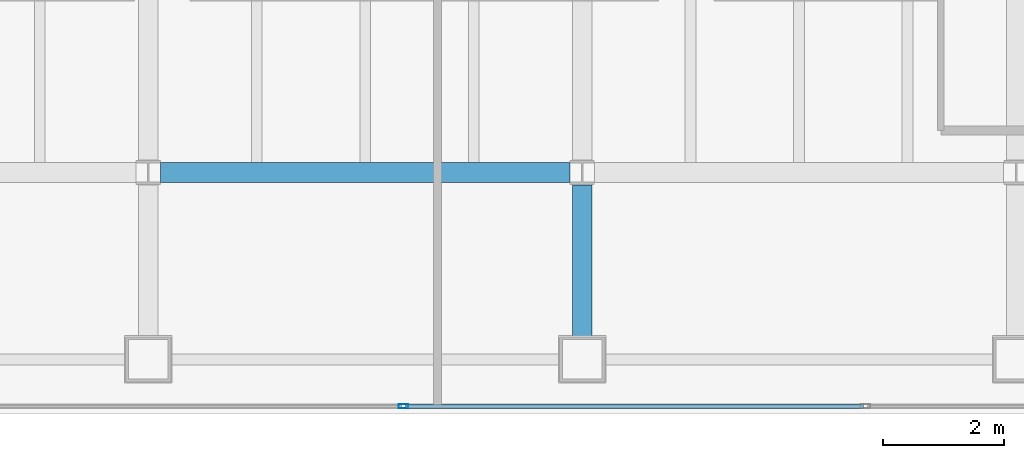
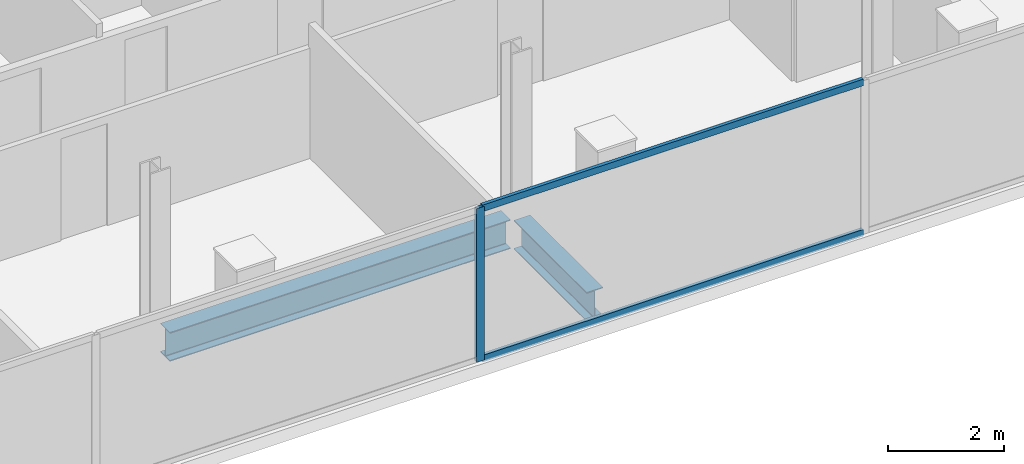
# One storey, part 6 of 23: 3 members, 2 beams, 1 element without a shape of its own.
"""IFC4 building model written with IfcOpenShell, lengths in metres."""

from ifc_helpers import new_model, si_unit, direction, frame, origin, origin_2d, place, context, subcontext, project, spatial, hollow_rectangle, i_section, extrude, material, material_profile, profile_set, type_object, element, aggregate, save


model = new_model("IFC4")

# Units and contexts
model_context = context("Model", 3, precision=1e-05, world=origin(), true_north=direction((0.0, 1.0)))
body_context = subcontext(model_context, "Body", "Model", "MODEL_VIEW")
ifc_project = project(units=[si_unit("LENGTHUNIT", "METRE"), si_unit("AREAUNIT", "SQUARE_METRE"), si_unit("VOLUMEUNIT", "CUBIC_METRE"), si_unit("PLANEANGLEUNIT", "RADIAN"), si_unit("MASSUNIT", "GRAM", prefix="KILO")], contexts=[model_context])

# Site, building, storey
site_placement = place(None, origin())
site = spatial("IfcSite", under=ifc_project, at=site_placement, CompositionType="ELEMENT")
building_placement = place(site_placement, origin())
building = spatial("IfcBuilding", under=site, at=building_placement, Name="Cobrela Telecom Tower", CompositionType="ELEMENT")
storey_placement = place(building_placement, frame((0.0, 0.0, 229.25)))
storey = spatial("IfcBuildingStorey", under=building, at=storey_placement, Name="L59", CompositionType="ELEMENT", Elevation=229.25)

# Beams
ifc_material_1 = material(Name="Steel ASTM A992 Grade 50", Category="steel")
ifc_material_profile_1 = material_profile(ifc_material_1, i_section(OverallWidth=0.324951171875, OverallDepth=0.612060546875, WebThickness=0.0126953125, FlangeThickness=0.01904296875, FilletRadius=0.014892578125, at=origin_2d()), Name="W24X104")
ifc_profile_set_1 = profile_set([ifc_material_profile_1], Name="Steel ASTM A992 Grade 50")
beam_type = type_object("IfcBeamType", Name="BM-GIRD-07", PredefinedType="USERDEFINED", material=ifc_profile_set_1)
beam_1_placement = place(storey_placement, frame((21.804443359375, 7.199951171875, -0.56591796875), z_axis=(1.0, 0.0, 0.0), x_axis=(0.0, 1.0, 0.0)))
element("IfcBeam", 1, at=beam_1_placement, inside=storey, type_object=beam_type, Name="L59 Primary Girder X08", ObjectType="GIRDER", PredefinedType="USERDEFINED", context=body_context, shape_type="SweptSolid", body=[
    extrude(i_section(OverallWidth=0.324951171875, OverallDepth=0.612060546875, WebThickness=0.0126953125, FlangeThickness=0.01904296875, FilletRadius=0.014892578125, at=origin_2d()), origin(), (0.0, 0.0, 1.0), 6.791015625),
])
beam_2_placement = place(storey_placement, frame((28.800048828125, 4.47998046875, -0.56591796875), z_axis=(0.0, 1.0, 0.0), x_axis=(-1.0, 0.0, 0.0)))
element("IfcBeam", 2, at=beam_2_placement, inside=storey, type_object=beam_type, Name="L59 Primary Girder Y36", ObjectType="GIRDER", PredefinedType="USERDEFINED", context=body_context, shape_type="SweptSolid", body=[
    extrude(i_section(OverallWidth=0.324951171875, OverallDepth=0.612060546875, WebThickness=0.0126953125, FlangeThickness=0.01904296875, FilletRadius=0.014892578125, at=origin_2d()), origin(), (0.0, 0.0, 1.0), 2.515625),
])

# Curtain wall, members
ifc_material_2 = material(Name="Anodized Bronze Aluminium 6063-T6", Category="aluminium")
curtain_wall_type = type_object("IfcCurtainWallType", Name="CW-SYS-OFF-LO", PredefinedType="USERDEFINED", material=ifc_material_2)
curtain_wall_placement = place(storey_placement, origin())
curtain_wall = element("IfcCurtainWall", 3, at=curtain_wall_placement, inside=storey, type_object=curtain_wall_type, Name="L59 Unitised Bronze Curtain Wall 17", ObjectType="UNITISED CURTAIN WALL", PredefinedType="USERDEFINED")
ifc_material_profile_2 = material_profile(ifc_material_2, hollow_rectangle(XDim=0.070068359375, YDim=0.159912109375, WallThickness=0.00390625, at=origin_2d()), Name="ALU 70x160x4")
ifc_profile_set_2 = profile_set([ifc_material_profile_2], Name="Anodized Bronze Aluminium 6063-T6")
member_type_1 = type_object("IfcMemberType", Name="CW-SYS-OFF-LO-MUL", PredefinedType="MULLION", material=ifc_profile_set_2)
member_1_placement = place(storey_placement, frame((25.833984375, 3.320068359375, 0.0), z_axis=(0.0, 0.0, 1.0), x_axis=(0.0, -1.0, 0.0)))
member_1 = element("IfcMember", 4, at=member_1_placement, type_object=member_type_1, Name="CW-OFF-LO mullion 3", PredefinedType="MULLION", context=body_context, shape_type="SweptSolid", body=[
    extrude(hollow_rectangle(XDim=0.070068359375, YDim=0.159912109375, WallThickness=0.00390625, at=origin_2d()), origin(), (0.0, 0.0, 1.0), 3.239990234375),
])
ifc_material_profile_3 = material_profile(ifc_material_2, hollow_rectangle(XDim=0.070068359375, YDim=0.139892578125, WallThickness=0.00390625, at=origin_2d()), Name="ALU 70x140x4")
ifc_profile_set_3 = profile_set([ifc_material_profile_3], Name="Anodized Bronze Aluminium 6063-T6")
member_type_2 = type_object("IfcMemberType", Name="CW-SYS-OFF-LO-TRN", PredefinedType="USERDEFINED", material=ifc_profile_set_3)
member_2_placement = place(storey_placement, frame((33.467041015625, 3.320068359375, 0.034912109375), z_axis=(-1.0, 0.0, 0.0), x_axis=(0.0, -1.0, 0.0)))
member_2 = element("IfcMember", 5, at=member_2_placement, type_object=member_type_2, Name="CW-OFF-LO transom 2.1", ObjectType="TRANSOM", PredefinedType="USERDEFINED", context=body_context, shape_type="SweptSolid", body=[
    extrude(hollow_rectangle(XDim=0.070068359375, YDim=0.139892578125, WallThickness=0.00390625, at=origin_2d()), origin(), (0.0, 0.0, 1.0), 7.59814453125),
])
member_3_placement = place(storey_placement, frame((33.467041015625, 3.320068359375, 3.205078125), z_axis=(-1.0, 0.0, 0.0), x_axis=(0.0, -1.0, 0.0)))
member_3 = element("IfcMember", 6, at=member_3_placement, type_object=member_type_2, Name="CW-OFF-LO transom 2.2", ObjectType="TRANSOM", PredefinedType="USERDEFINED", context=body_context, shape_type="SweptSolid", body=[
    extrude(hollow_rectangle(XDim=0.070068359375, YDim=0.139892578125, WallThickness=0.00390625, at=origin_2d()), origin(), (0.0, 0.0, 1.0), 7.59814453125),
])
aggregate(curtain_wall, [member_1, member_2, member_3])

save(model, "model.ifc")
